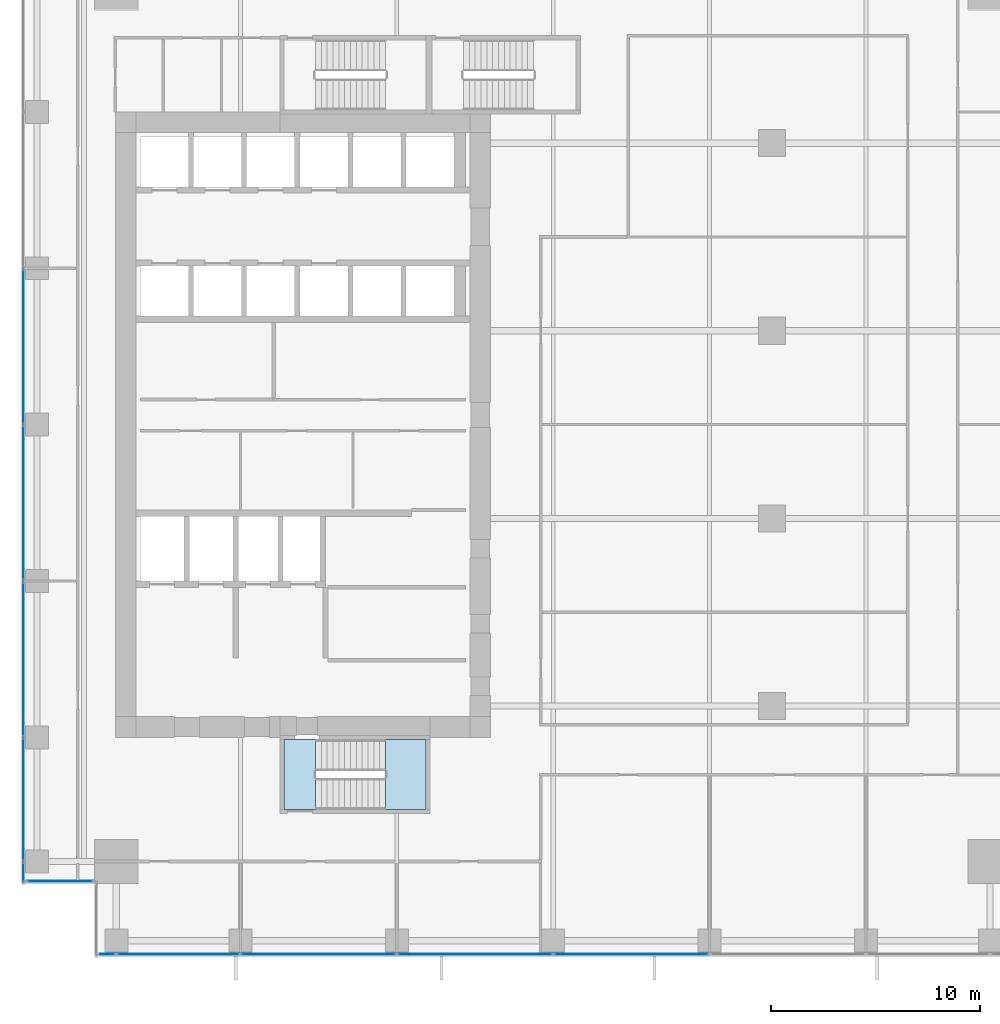
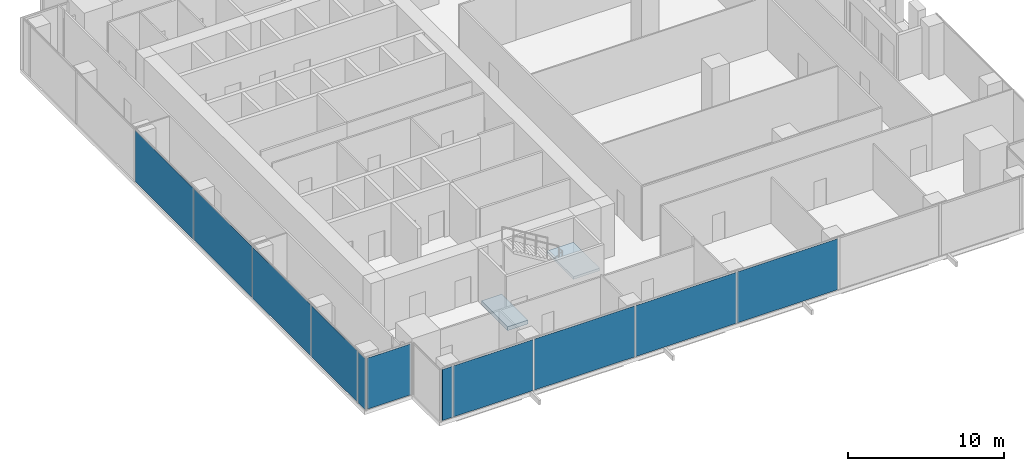
# One storey, part 23 of 34: 11 plates, 2 slabs, 4 elements without a shape of their own.
"""IFC4 building model written with IfcOpenShell, lengths in metres."""

from ifc_helpers import new_model, si_unit, direction, frame, origin, origin_2d, place, context, subcontext, project, spatial, polyline, rectangle, outline, extrude, source, transform, mapped, material, layer, layer_set, type_object, element, aggregate, save


model = new_model("IFC4")

# Units and contexts
model_context = context("Model", 3, precision=1e-05, world=origin(), true_north=direction((0.0, 1.0)))
body_context = subcontext(model_context, "Body", "Model", "MODEL_VIEW")
ifc_project = project(units=[si_unit("LENGTHUNIT", "METRE"), si_unit("AREAUNIT", "SQUARE_METRE"), si_unit("VOLUMEUNIT", "CUBIC_METRE"), si_unit("PLANEANGLEUNIT", "RADIAN"), si_unit("MASSUNIT", "GRAM", prefix="KILO")], contexts=[model_context])

# Site, building, storey
site_placement = place(None, origin())
site = spatial("IfcSite", under=ifc_project, at=site_placement, CompositionType="ELEMENT")
building_placement = place(site_placement, origin())
building = spatial("IfcBuilding", under=site, at=building_placement, Name="Khomas Fold Tower", CompositionType="ELEMENT")
storey_placement = place(building_placement, frame((0.0, 0.0, 105.89990234375)))
storey = spatial("IfcBuildingStorey", under=building, at=storey_placement, Name="L22", CompositionType="ELEMENT", Elevation=105.89990234375)

# Curtain wall, plates
ifc_material_1 = material(Name="Aluminium framed double glazing", Category="aluminium")
curtain_wall_type = type_object("IfcCurtainWallType", Name="SK-Unitised clear-glass wall, growing floors CW1", PredefinedType="NOTDEFINED", material=ifc_material_1)
curtain_wall_1_placement = place(storey_placement, origin())
curtain_wall_1 = element("IfcCurtainWall", 1, at=curtain_wall_1_placement, inside=storey, type_object=curtain_wall_type, Name="CW1 run L22 00-0", PredefinedType="NOTDEFINED")
ifc_material_2 = material(Name="Clear double glazed unit")
ifc_layer_1 = layer(ifc_material_2, 0.031982421875)
ifc_layer_set_1 = layer_set([ifc_layer_1], Name="Clear double glazed unit")
plate_type = type_object("IfcPlateType", Name="SK-Unitised clear-glass wall, growing floors glass panel CW1-P", PredefinedType="CURTAIN_PANEL", material=ifc_layer_set_1)
shared_shape_1 = source(origin(), body_context, "Body", "SweptSolid", [
    extrude(rectangle(XDim=0.760009765625, YDim=0.031982421875, at=origin_2d()), origin(), (0.0, 0.0, 1.0), 3.97998046875),
])
plate_1_placement = place(storey_placement, frame((5.639892578125, 1.60009765625, 0.0), z_axis=(0.0, 0.0, 1.0), x_axis=(1.0, 0.0, 0.0)))
plate_1 = element("IfcPlate", 2, at=plate_1_placement, type_object=plate_type, Name="CW1 glass panel 1", PredefinedType="CURTAIN_PANEL", context=body_context, shape_type="MappedRepresentation", body=[
    mapped(shared_shape_1, transform((0.0, 0.0, 0.0))),
])
shared_shape_2 = source(origin(), body_context, "Body", "SweptSolid", [
    extrude(rectangle(XDim=5.889892578125, YDim=0.031982421875, at=origin_2d()), origin(), (0.0, 0.0, 1.0), 3.97998046875),
])
plate_2_placement = place(storey_placement, frame((9.02490234375, 1.60009765625, 0.0), z_axis=(0.0, 0.0, 1.0), x_axis=(1.0, 0.0, 0.0)))
plate_2 = element("IfcPlate", 3, at=plate_2_placement, type_object=plate_type, Name="CW1 glass panel 2", PredefinedType="CURTAIN_PANEL", context=body_context, shape_type="MappedRepresentation", body=[
    mapped(shared_shape_2, transform((0.0, 0.0, 0.0))),
])

# Curtain wall, plate
curtain_wall_2_placement = place(storey_placement, origin())
curtain_wall_2 = element("IfcCurtainWall", 4, at=curtain_wall_2_placement, inside=storey, type_object=curtain_wall_type, Name="CW1 run L22 09-0", PredefinedType="NOTDEFINED")
plate_3_placement = place(storey_placement, frame((1.60009765625, 9.02490234375, 0.0), z_axis=(0.0, 0.0, 1.0), x_axis=(0.0, -1.0, 0.0)))
plate_3 = element("IfcPlate", 5, at=plate_3_placement, type_object=plate_type, Name="CW1 glass panel 7", PredefinedType="CURTAIN_PANEL", context=body_context, shape_type="MappedRepresentation", body=[
    mapped(shared_shape_2, transform((0.0, 0.0, 0.0))),
])

# Plate
shared_shape_3 = source(origin(), body_context, "Body", "SweptSolid", [
    extrude(rectangle(XDim=7.43994140625, YDim=0.031982421875, at=origin_2d()), origin(), (0.0, 0.0, 1.0), 3.97998046875),
])
plate_4_placement = place(storey_placement, frame((15.75, 1.60009765625, 0.0), z_axis=(0.0, 0.0, 1.0), x_axis=(1.0, 0.0, 0.0)))
plate_4 = element("IfcPlate", 6, at=plate_4_placement, type_object=plate_type, Name="CW1 glass panel 3", PredefinedType="CURTAIN_PANEL", context=body_context, shape_type="MappedRepresentation", body=[
    mapped(shared_shape_3, transform((0.0, 0.0, 0.0))),
])

plate_5_placement = place(storey_placement, frame((23.25, 1.60009765625, 0.0), z_axis=(0.0, 0.0, 1.0), x_axis=(1.0, 0.0, 0.0)))
plate_5 = element("IfcPlate", 7, at=plate_5_placement, type_object=plate_type, Name="CW1 glass panel 4", PredefinedType="CURTAIN_PANEL", context=body_context, shape_type="MappedRepresentation", body=[
    mapped(shared_shape_3, transform((0.0, 0.0, 0.0))),
])

plate_6_placement = place(storey_placement, frame((30.75, 1.60009765625, 0.0), z_axis=(0.0, 0.0, 1.0), x_axis=(1.0, 0.0, 0.0)))
plate_6 = element("IfcPlate", 8, at=plate_6_placement, type_object=plate_type, Name="CW1 glass panel 5", PredefinedType="CURTAIN_PANEL", context=body_context, shape_type="MappedRepresentation", body=[
    mapped(shared_shape_3, transform((0.0, 0.0, 0.0))),
])

aggregate(curtain_wall_1, [plate_1, plate_2, plate_4, plate_5, plate_6])

plate_7_placement = place(storey_placement, frame((1.60009765625, 30.75, 0.0), z_axis=(0.0, 0.0, 1.0), x_axis=(0.0, -1.0, 0.0)))
plate_7 = element("IfcPlate", 9, at=plate_7_placement, type_object=plate_type, Name="CW1 glass panel 4", PredefinedType="CURTAIN_PANEL", context=body_context, shape_type="MappedRepresentation", body=[
    mapped(shared_shape_3, transform((0.0, 0.0, 0.0))),
])

plate_8_placement = place(storey_placement, frame((1.60009765625, 23.25, 0.0), z_axis=(0.0, 0.0, 1.0), x_axis=(0.0, -1.0, 0.0)))
plate_8 = element("IfcPlate", 10, at=plate_8_placement, type_object=plate_type, Name="CW1 glass panel 5", PredefinedType="CURTAIN_PANEL", context=body_context, shape_type="MappedRepresentation", body=[
    mapped(shared_shape_3, transform((0.0, 0.0, 0.0))),
])

plate_9_placement = place(storey_placement, frame((1.60009765625, 15.75, 0.0), z_axis=(0.0, 0.0, 1.0), x_axis=(0.0, -1.0, 0.0)))
plate_9 = element("IfcPlate", 11, at=plate_9_placement, type_object=plate_type, Name="CW1 glass panel 6", PredefinedType="CURTAIN_PANEL", context=body_context, shape_type="MappedRepresentation", body=[
    mapped(shared_shape_3, transform((0.0, 0.0, 0.0))),
])

shared_shape_4 = source(origin(), body_context, "Body", "SweptSolid", [
    extrude(rectangle(XDim=0.9599609375, YDim=0.031982421875, at=origin_2d()), origin(), (0.0, 0.0, 1.0), 3.97998046875),
])
plate_10_placement = place(storey_placement, frame((1.60009765625, 5.5400390625, 0.0), z_axis=(0.0, 0.0, 1.0), x_axis=(0.0, -1.0, 0.0)))
plate_10 = element("IfcPlate", 12, at=plate_10_placement, type_object=plate_type, Name="CW1 glass panel 8", PredefinedType="CURTAIN_PANEL", context=body_context, shape_type="MappedRepresentation", body=[
    mapped(shared_shape_4, transform((0.0, 0.0, 0.0))),
])

aggregate(curtain_wall_2, [plate_7, plate_8, plate_9, plate_3, plate_10])

# Curtain wall, plate
curtain_wall_3_placement = place(storey_placement, origin())
curtain_wall_3 = element("IfcCurtainWall", 13, at=curtain_wall_3_placement, inside=storey, type_object=curtain_wall_type, Name="CW1 corner return L22 10", PredefinedType="NOTDEFINED")
shared_shape_5 = source(origin(), body_context, "Body", "SweptSolid", [
    extrude(rectangle(XDim=3.179931640625, YDim=0.031982421875, at=origin_2d()), origin(), (0.0, 0.0, 1.0), 3.97998046875),
])
plate_11_placement = place(storey_placement, frame((3.35009765625, 5.10009765625, 0.0), z_axis=(0.0, 0.0, 1.0), x_axis=(1.0, 0.0, 0.0)))
plate_11 = element("IfcPlate", 14, at=plate_11_placement, type_object=plate_type, Name="CW1 glass panel 1", PredefinedType="CURTAIN_PANEL", context=body_context, shape_type="MappedRepresentation", body=[
    mapped(shared_shape_5, transform((0.0, 0.0, 0.0))),
])
aggregate(curtain_wall_3, [plate_11])

# Stair, slab
ifc_material_3 = material(Name="Concrete C40/50", Category="concrete")
stair_type = type_object("IfcStairType", Name="Stair ST2", PredefinedType="HALF_TURN_STAIR", material=ifc_material_3)
stair_placement = place(storey_placement, origin())
stair = element("IfcStair", 15, at=stair_placement, inside=storey, type_object=stair_type, Name="L22 ST2", PredefinedType="HALF_TURN_STAIR")
ifc_material_4 = material(Name="Concrete C40/50", Category="concrete")
ifc_layer_2 = layer(ifc_material_4, 0.199951171875)
ifc_layer_set_2 = layer_set([ifc_layer_2], Name="Concrete C40/50")
slab_type_1 = type_object("IfcSlabType", Name="Stair landing 200", PredefinedType="LANDING", material=ifc_layer_set_2)
shared_shape_6 = source(origin(), body_context, "Body", "SweptSolid", [
    extrude(outline(polyline([(18.9599609375, 8.550048828125), (20.89990234375, 8.550048828125), (20.89990234375, 11.89990234375), (18.9599609375, 11.89990234375), (18.9599609375, 8.550048828125)])), origin(), (0.0, 0.0, 1.0), 0.2001953125),
])
slab_1_placement = place(storey_placement, frame((0.0, 0.0, 2.0)))
slab_1 = element("IfcSlab", 16, at=slab_1_placement, type_object=slab_type_1, Name="ST2 landing 1", PredefinedType="LANDING", context=body_context, shape_type="MappedRepresentation", body=[
    mapped(shared_shape_6, transform((0.0, 0.0, 0.0))),
])
aggregate(stair, [slab_1])

# Slab
ifc_material_5 = material(Name="Concrete C40/50", Category="concrete")
ifc_layer_3 = layer(ifc_material_5, 0.300048828125)
ifc_layer_set_3 = layer_set([ifc_layer_3], Name="Concrete C40/50")
slab_type_2 = type_object("IfcSlabType", Name="Stair floor landing 300", PredefinedType="LANDING", material=ifc_layer_set_3)
shared_shape_7 = source(origin(), body_context, "Body", "SweptSolid", [
    extrude(outline(polyline([(15.60009765625, 8.550048828125), (14.10009765625, 8.550048828125), (14.10009765625, 11.89990234375), (15.60009765625, 11.89990234375), (15.60009765625, 8.550048828125)])), origin(), (0.0, 0.0, 1.0), 0.2998046875),
])
slab_2_placement = place(storey_placement, frame((0.0, 0.0, -0.2998046875)))
element("IfcSlab", 17, at=slab_2_placement, inside=storey, type_object=slab_type_2, Name="ST2 floor landing", PredefinedType="LANDING", context=body_context, shape_type="MappedRepresentation", body=[
    mapped(shared_shape_7, transform((0.0, 0.0, 0.0))),
])

save(model, "model.ifc")
